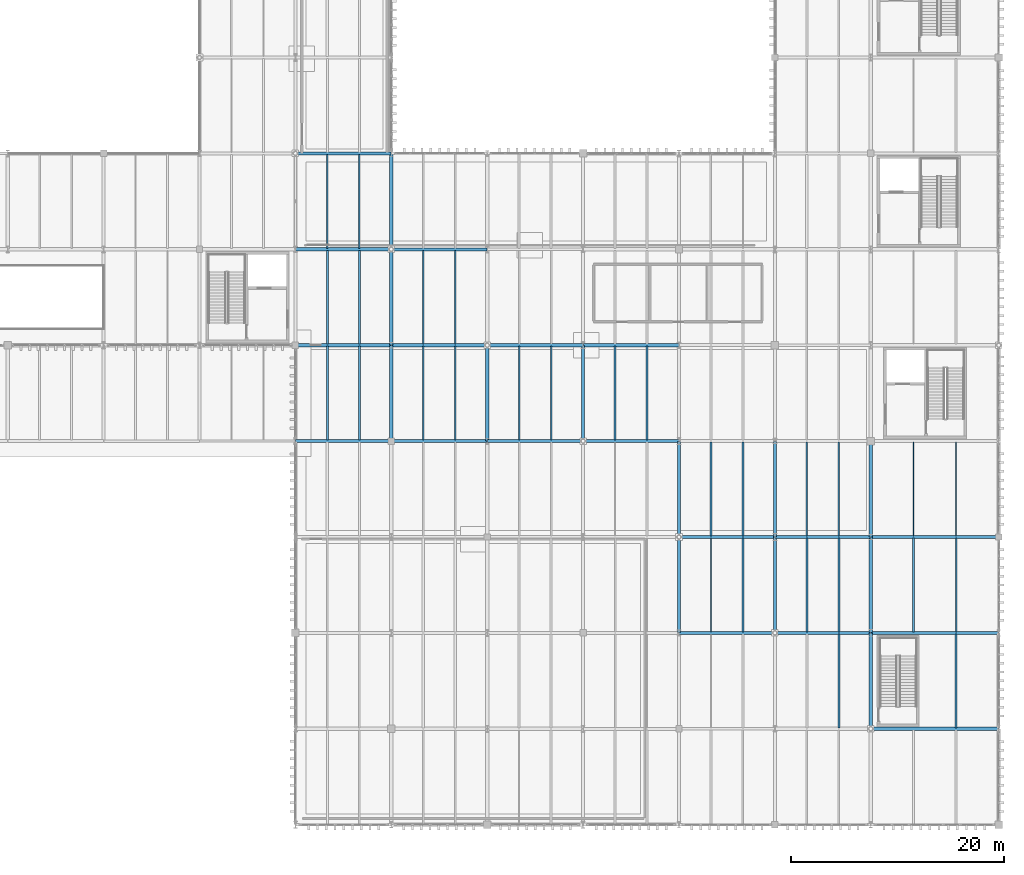
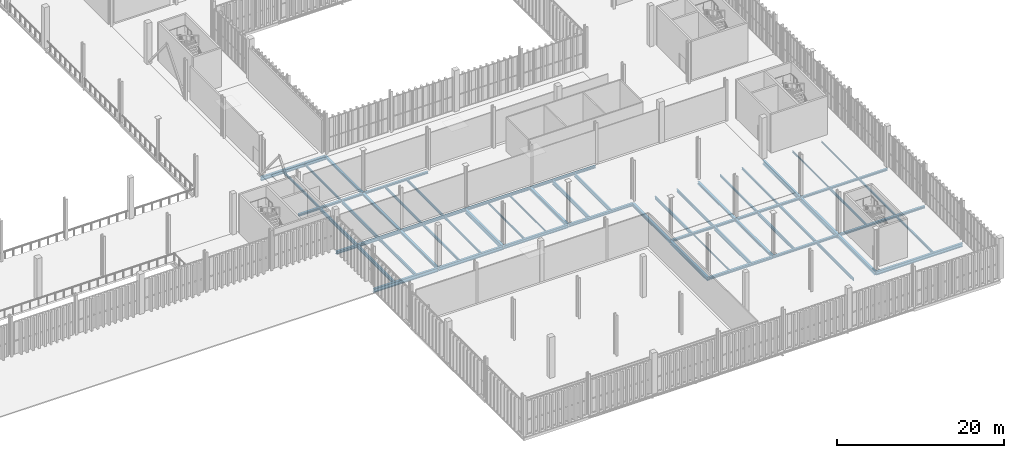
# One storey, part 92 of 211: 58 beams.
"""IFC4 building model written with IfcOpenShell, lengths in metres."""

from ifc_helpers import new_model, si_unit, direction, frame, origin, origin_2d, place, context, subcontext, project, spatial, i_section, extrude, material, material_profile, profile_set, type_object, element, save


model = new_model("IFC4")

# Units and contexts
model_context = context("Model", 3, precision=1e-05, world=origin(), true_north=direction((0.0, 1.0)))
body_context = subcontext(model_context, "Body", "Model", "MODEL_VIEW")
ifc_project = project(units=[si_unit("LENGTHUNIT", "METRE"), si_unit("AREAUNIT", "SQUARE_METRE"), si_unit("VOLUMEUNIT", "CUBIC_METRE"), si_unit("PLANEANGLEUNIT", "RADIAN"), si_unit("MASSUNIT", "GRAM", prefix="KILO")], contexts=[model_context])

# Site, building, storey
site_placement = place(None, origin())
site = spatial("IfcSite", under=ifc_project, at=site_placement, CompositionType="ELEMENT")
building_placement = place(site_placement, origin())
building = spatial("IfcBuilding", under=site, at=building_placement, Name="Barlavento Convention Centre", CompositionType="ELEMENT")
storey_placement = place(building_placement, frame((0.0, 0.0, 6.0)))
storey = spatial("IfcBuildingStorey", under=building, at=storey_placement, Name="L01", CompositionType="ELEMENT", Elevation=6.0)

# Beams
ifc_material = material(Name="Steel S355", Category="steel")
ifc_material_profile_1 = material_profile(ifc_material, i_section(OverallWidth=0.110107421875, OverallDepth=0.219970703125, WebThickness=0.005859375, FlangeThickness=0.00927734375, FilletRadius=0.011962890625, at=origin_2d()), Name="IPE 220")
ifc_profile_set_1 = profile_set([ifc_material_profile_1], Name="Steel S355")
beam_type_1 = type_object("IfcBeamType", Name="STR-BM-JST-IPE220", PredefinedType="JOIST", material=ifc_profile_set_1)
for number, where, z_axis, x_axis, name in (
    (1, (165.0, 18.094970703125, -0.469970703125), (0.0, 1.0, 0.0), (-1.0, 0.0, 0.0), "L01 composite floor joist SJ10"),
    (2, (188.0, 27.094970703125, -0.469970703125), (0.0, 1.0, 0.0), (-1.0, 0.0, 0.0), "L01 composite floor joist SJ10"),
):
    element("IfcBeam", number, at=place(storey_placement, frame(where, z_axis=z_axis, x_axis=x_axis)), inside=storey, type_object=beam_type_1, Name=name, PredefinedType="JOIST", context=body_context, shape_type="SweptSolid", body=[
        extrude(i_section(OverallWidth=0.110107421875, OverallDepth=0.219970703125, WebThickness=0.005859375, FlangeThickness=0.00927734375, FilletRadius=0.011962890625, at=origin_2d()), origin(), (0.0, 0.0, 1.0), 8.81005859375),
    ])
ifc_material_profile_2 = material_profile(ifc_material, i_section(OverallWidth=0.1201171875, OverallDepth=0.239990234375, WebThickness=0.006103515625, FlangeThickness=0.009765625, FilletRadius=0.014892578125, at=origin_2d()), Name="IPE 240")
ifc_profile_set_2 = profile_set([ifc_material_profile_2], Name="Steel S355")
beam_type_2 = type_object("IfcBeamType", Name="STR-BM-JST-IPE240", PredefinedType="JOIST", material=ifc_profile_set_2)
for number, where, z_axis, x_axis, name in (
    (3, (184.0, 27.094970703125, -0.47998046875), (0.0, 1.0, 0.0), (-1.0, 0.0, 0.0), "L01 composite floor joist SJ09"),
    (4, (150.0, 36.094970703125, -0.47998046875), (0.0, 1.0, 0.0), (-1.0, 0.0, 0.0), "L01 composite floor joist SJ09"),
):
    element("IfcBeam", number, at=place(storey_placement, frame(where, z_axis=z_axis, x_axis=x_axis)), inside=storey, type_object=beam_type_2, Name=name, PredefinedType="JOIST", context=body_context, shape_type="SweptSolid", body=[
        extrude(i_section(OverallWidth=0.1201171875, OverallDepth=0.239990234375, WebThickness=0.006103515625, FlangeThickness=0.009765625, FilletRadius=0.014892578125, at=origin_2d()), origin(), (0.0, 0.0, 1.0), 8.81005859375),
    ])
ifc_material_profile_3 = material_profile(ifc_material, i_section(OverallWidth=0.135009765625, OverallDepth=0.27001953125, WebThickness=0.006591796875, FlangeThickness=0.01025390625, FilletRadius=0.014892578125, at=origin_2d()), Name="IPE 270")
ifc_profile_set_3 = profile_set([ifc_material_profile_3], Name="Steel S355")
beam_type_3 = type_object("IfcBeamType", Name="STR-BM-JST-IPE270", PredefinedType="JOIST", material=ifc_profile_set_3)
beam_1_placement = place(storey_placement, frame((147.0, 36.094970703125, -0.4951171875), z_axis=(0.0, 1.0, 0.0), x_axis=(-1.0, 0.0, 0.0)))
element("IfcBeam", 5, at=beam_1_placement, inside=storey, type_object=beam_type_3, Name="L01 composite floor joist SJ08", PredefinedType="JOIST", context=body_context, shape_type="SweptSolid", body=[
    extrude(i_section(OverallWidth=0.135009765625, OverallDepth=0.27001953125, WebThickness=0.006591796875, FlangeThickness=0.01025390625, FilletRadius=0.014892578125, at=origin_2d()), origin(), (0.0, 0.0, 1.0), 8.81005859375),
])
ifc_material_profile_4 = material_profile(ifc_material, i_section(OverallWidth=0.14990234375, OverallDepth=0.300048828125, WebThickness=0.007080078125, FlangeThickness=0.0107421875, FilletRadius=0.014892578125, at=origin_2d()), Name="IPE 300")
ifc_profile_set_4 = profile_set([ifc_material_profile_4], Name="Steel S355")
beam_type_4 = type_object("IfcBeamType", Name="STR-BM-JST-IPE300", PredefinedType="JOIST", material=ifc_profile_set_4)
for number, where, z_axis, x_axis, name in (
    (6, (188.0, 18.094970703125, -0.510009765625), (0.0, 1.0, 0.0), (-1.0, 0.0, 0.0), "L01 composite floor joist SJ07"),
    (7, (177.0, 27.094970703125, -0.510009765625), (0.0, 1.0, 0.0), (-1.0, 0.0, 0.0), "L01 composite floor joist SJ07"),
    (8, (132.0, 54.094970703125, -0.510009765625), (0.0, 1.0, 0.0), (-1.0, 0.0, 0.0), "L01 composite floor joist SJ07"),
):
    element("IfcBeam", number, at=place(storey_placement, frame(where, z_axis=z_axis, x_axis=x_axis)), inside=storey, type_object=beam_type_4, Name=name, PredefinedType="JOIST", context=body_context, shape_type="SweptSolid", body=[
        extrude(i_section(OverallWidth=0.14990234375, OverallDepth=0.300048828125, WebThickness=0.007080078125, FlangeThickness=0.0107421875, FilletRadius=0.014892578125, at=origin_2d()), origin(), (0.0, 0.0, 1.0), 8.81005859375),
    ])
ifc_material_profile_5 = material_profile(ifc_material, i_section(OverallWidth=0.159912109375, OverallDepth=0.330078125, WebThickness=0.007568359375, FlangeThickness=0.011474609375, FilletRadius=0.01806640625, at=origin_2d()), Name="IPE 330")
ifc_profile_set_5 = profile_set([ifc_material_profile_5], Name="Steel S355")
beam_type_5 = type_object("IfcBeamType", Name="STR-BM-JST-IPE330", PredefinedType="JOIST", material=ifc_profile_set_5)
for number, where, z_axis, x_axis, name in (
    (9, (188.0, 9.094970703125, -0.52490234375), (0.0, 1.0, 0.0), (-1.0, 0.0, 0.0), "L01 composite floor joist SJ06"),
    (10, (184.0, 18.094970703125, -0.52490234375), (0.0, 1.0, 0.0), (-1.0, 0.0, 0.0), "L01 composite floor joist SJ06"),
    (11, (174.0, 27.094970703125, -0.52490234375), (0.0, 1.0, 0.0), (-1.0, 0.0, 0.0), "L01 composite floor joist SJ06"),
    (12, (141.0, 36.094970703125, -0.52490234375), (0.0, 1.0, 0.0), (-1.0, 0.0, 0.0), "L01 composite floor joist SJ06"),
    (13, (141.0, 45.094970703125, -0.52490234375), (0.0, 1.0, 0.0), (-1.0, 0.0, 0.0), "L01 composite floor joist SJ06"),
    (14, (129.0, 54.094970703125, -0.52490234375), (0.0, 1.0, 0.0), (-1.0, 0.0, 0.0), "L01 composite floor joist SJ06"),
):
    element("IfcBeam", number, at=place(storey_placement, frame(where, z_axis=z_axis, x_axis=x_axis)), inside=storey, type_object=beam_type_5, Name=name, PredefinedType="JOIST", context=body_context, shape_type="SweptSolid", body=[
        extrude(i_section(OverallWidth=0.159912109375, OverallDepth=0.330078125, WebThickness=0.007568359375, FlangeThickness=0.011474609375, FilletRadius=0.01806640625, at=origin_2d()), origin(), (0.0, 0.0, 1.0), 8.81005859375),
    ])
ifc_material_profile_6 = material_profile(ifc_material, i_section(OverallWidth=0.169921875, OverallDepth=0.360107421875, WebThickness=0.008056640625, FlangeThickness=0.0126953125, FilletRadius=0.01806640625, at=origin_2d()), Name="IPE 360")
ifc_profile_set_6 = profile_set([ifc_material_profile_6], Name="Steel S355")
beam_type_6 = type_object("IfcBeamType", Name="STR-BM-JST-IPE360", PredefinedType="JOIST", material=ifc_profile_set_6)
for number, where, z_axis, x_axis, name in (
    (15, (138.0, 36.094970703125, -0.5400390625), (0.0, 1.0, 0.0), (-1.0, 0.0, 0.0), "L01 composite floor joist SJ05"),
    (16, (138.0, 45.094970703125, -0.5400390625), (0.0, 1.0, 0.0), (-1.0, 0.0, 0.0), "L01 composite floor joist SJ05"),
):
    element("IfcBeam", number, at=place(storey_placement, frame(where, z_axis=z_axis, x_axis=x_axis)), inside=storey, type_object=beam_type_6, Name=name, PredefinedType="JOIST", context=body_context, shape_type="SweptSolid", body=[
        extrude(i_section(OverallWidth=0.169921875, OverallDepth=0.360107421875, WebThickness=0.008056640625, FlangeThickness=0.0126953125, FilletRadius=0.01806640625, at=origin_2d()), origin(), (0.0, 0.0, 1.0), 8.81005859375),
    ])
ifc_material_profile_7 = material_profile(ifc_material, i_section(OverallWidth=0.179931640625, OverallDepth=0.39990234375, WebThickness=0.008544921875, FlangeThickness=0.013427734375, FilletRadius=0.02099609375, at=origin_2d()), Name="IPE 400")
ifc_profile_set_7 = profile_set([ifc_material_profile_7], Name="Steel S355")
beam_type_7 = type_object("IfcBeamType", Name="STR-BM-JST-IPE400", PredefinedType="JOIST", material=ifc_profile_set_7)
for number, where, z_axis, x_axis, name in (
    (17, (177.0, 9.094970703125, -0.56005859375), (0.0, 1.0, 0.0), (-1.0, 0.0, 0.0), "L01 composite floor joist SJ04"),
    (18, (177.0, 18.094970703125, -0.56005859375), (0.0, 1.0, 0.0), (-1.0, 0.0, 0.0), "L01 composite floor joist SJ04"),
    (19, (168.0, 27.094970703125, -0.56005859375), (0.0, 1.0, 0.0), (-1.0, 0.0, 0.0), "L01 composite floor joist SJ04"),
):
    element("IfcBeam", number, at=place(storey_placement, frame(where, z_axis=z_axis, x_axis=x_axis)), inside=storey, type_object=beam_type_7, Name=name, PredefinedType="JOIST", context=body_context, shape_type="SweptSolid", body=[
        extrude(i_section(OverallWidth=0.179931640625, OverallDepth=0.39990234375, WebThickness=0.008544921875, FlangeThickness=0.013427734375, FilletRadius=0.02099609375, at=origin_2d()), origin(), (0.0, 0.0, 1.0), 8.81005859375),
    ])
ifc_material_profile_8 = material_profile(ifc_material, i_section(OverallWidth=0.18994140625, OverallDepth=0.449951171875, WebThickness=0.009521484375, FlangeThickness=0.0146484375, FilletRadius=0.02099609375, at=origin_2d()), Name="IPE 450")
ifc_profile_set_8 = profile_set([ifc_material_profile_8], Name="Steel S355")
beam_type_8 = type_object("IfcBeamType", Name="STR-BM-JST-IPE450", PredefinedType="JOIST", material=ifc_profile_set_8)
for number, where, z_axis, x_axis, name in (
    (20, (174.0, 18.094970703125, -0.5849609375), (0.0, 1.0, 0.0), (-1.0, 0.0, 0.0), "L01 composite floor joist SJ03"),
    (21, (165.0, 27.094970703125, -0.5849609375), (0.0, 1.0, 0.0), (-1.0, 0.0, 0.0), "L01 composite floor joist SJ03"),
    (22, (132.0, 36.094970703125, -0.5849609375), (0.0, 1.0, 0.0), (-1.0, 0.0, 0.0), "L01 composite floor joist SJ03"),
    (23, (132.0, 45.094970703125, -0.5849609375), (0.0, 1.0, 0.0), (-1.0, 0.0, 0.0), "L01 composite floor joist SJ03"),
):
    element("IfcBeam", number, at=place(storey_placement, frame(where, z_axis=z_axis, x_axis=x_axis)), inside=storey, type_object=beam_type_8, Name=name, PredefinedType="JOIST", context=body_context, shape_type="SweptSolid", body=[
        extrude(i_section(OverallWidth=0.18994140625, OverallDepth=0.449951171875, WebThickness=0.009521484375, FlangeThickness=0.0146484375, FilletRadius=0.02099609375, at=origin_2d()), origin(), (0.0, 0.0, 1.0), 8.81005859375),
    ])
ifc_material_profile_9 = material_profile(ifc_material, i_section(OverallWidth=0.199951171875, OverallDepth=0.5, WebThickness=0.01025390625, FlangeThickness=0.01611328125, FilletRadius=0.02099609375, at=origin_2d()), Name="IPE 500")
ifc_profile_set_9 = profile_set([ifc_material_profile_9], Name="Steel S355")
beam_type_9 = type_object("IfcBeamType", Name="STR-BM-JST-IPE500", PredefinedType="JOIST", material=ifc_profile_set_9)
for number, where, z_axis, x_axis, name in (
    (24, (129.0, 36.094970703125, -0.610107421875), (0.0, 1.0, 0.0), (-1.0, 0.0, 0.0), "L01 composite floor joist SJ02"),
    (25, (159.0, 36.094970703125, -0.610107421875), (0.0, 1.0, 0.0), (-1.0, 0.0, 0.0), "L01 composite floor joist SJ02"),
    (26, (129.0, 45.094970703125, -0.610107421875), (0.0, 1.0, 0.0), (-1.0, 0.0, 0.0), "L01 composite floor joist SJ02"),
):
    element("IfcBeam", number, at=place(storey_placement, frame(where, z_axis=z_axis, x_axis=x_axis)), inside=storey, type_object=beam_type_9, Name=name, PredefinedType="JOIST", context=body_context, shape_type="SweptSolid", body=[
        extrude(i_section(OverallWidth=0.199951171875, OverallDepth=0.5, WebThickness=0.01025390625, FlangeThickness=0.01611328125, FilletRadius=0.02099609375, at=origin_2d()), origin(), (0.0, 0.0, 1.0), 8.81005859375),
    ])
ifc_material_profile_10 = material_profile(ifc_material, i_section(OverallWidth=0.2099609375, OverallDepth=0.550048828125, WebThickness=0.010986328125, FlangeThickness=0.01708984375, FilletRadius=0.02392578125, at=origin_2d()), Name="IPE 550")
ifc_profile_set_10 = profile_set([ifc_material_profile_10], Name="Steel S355")
beam_type_10 = type_object("IfcBeamType", Name="STR-BM-JST-IPE550", PredefinedType="JOIST", material=ifc_profile_set_10)
for number, where, z_axis, x_axis, name in (
    (27, (168.0, 18.094970703125, -0.635009765625), (0.0, 1.0, 0.0), (-1.0, 0.0, 0.0), "L01 composite floor joist SJ01"),
    (28, (156.0, 36.094970703125, -0.635009765625), (0.0, 1.0, 0.0), (-1.0, 0.0, 0.0), "L01 composite floor joist SJ01"),
):
    element("IfcBeam", number, at=place(storey_placement, frame(where, z_axis=z_axis, x_axis=x_axis)), inside=storey, type_object=beam_type_10, Name=name, PredefinedType="JOIST", context=body_context, shape_type="SweptSolid", body=[
        extrude(i_section(OverallWidth=0.2099609375, OverallDepth=0.550048828125, WebThickness=0.010986328125, FlangeThickness=0.01708984375, FilletRadius=0.02392578125, at=origin_2d()), origin(), (0.0, 0.0, 1.0), 8.81005859375),
    ])
ifc_material_profile_11 = material_profile(ifc_material, i_section(OverallWidth=0.300048828125, OverallDepth=0.330078125, WebThickness=0.009521484375, FlangeThickness=0.0166015625, FilletRadius=0.027099609375, at=origin_2d()), Name="HEA 340")
ifc_profile_set_11 = profile_set([ifc_material_profile_11], Name="Steel S355")
beam_type_11 = type_object("IfcBeamType", Name="STR-BM-PRI-HEA340", PredefinedType="BEAM", material=ifc_profile_set_11)
for number, where, z_axis, x_axis, name in (
    (29, (135.0, 45.02001953125, -0.52490234375), (0.0, 1.0, 0.0), (-1.0, 0.0, 0.0), "L01 grid girder BG24"),
    (30, (135.0, 54.02001953125, -0.52490234375), (0.0, 1.0, 0.0), (-1.0, 0.0, 0.0), "L01 grid girder BG24"),
):
    element("IfcBeam", number, at=place(storey_placement, frame(where, z_axis=z_axis, x_axis=x_axis)), inside=storey, type_object=beam_type_11, Name=name, PredefinedType="BEAM", context=body_context, shape_type="SweptSolid", body=[
        extrude(i_section(OverallWidth=0.300048828125, OverallDepth=0.330078125, WebThickness=0.009521484375, FlangeThickness=0.0166015625, FilletRadius=0.027099609375, at=origin_2d()), origin(), (0.0, 0.0, 1.0), 8.9599609375),
    ])
ifc_material_profile_12 = material_profile(ifc_material, i_section(OverallWidth=0.300048828125, OverallDepth=0.35009765625, WebThickness=0.010009765625, FlangeThickness=0.017578125, FilletRadius=0.027099609375, at=origin_2d()), Name="HEA 360")
ifc_profile_set_12 = profile_set([ifc_material_profile_12], Name="Steel S355")
beam_type_12 = type_object("IfcBeamType", Name="STR-BM-PRI-HEA360", PredefinedType="BEAM", material=ifc_profile_set_12)
beam_2_placement = place(storey_placement, frame((171.0, 27.02001953125, -0.534912109375), z_axis=(0.0, 1.0, 0.0), x_axis=(-1.0, 0.0, 0.0)))
element("IfcBeam", 31, at=beam_2_placement, inside=storey, type_object=beam_type_12, Name="L01 grid girder BG23", PredefinedType="BEAM", context=body_context, shape_type="SweptSolid", body=[
    extrude(i_section(OverallWidth=0.300048828125, OverallDepth=0.35009765625, WebThickness=0.010009765625, FlangeThickness=0.017578125, FilletRadius=0.027099609375, at=origin_2d()), origin(), (0.0, 0.0, 1.0), 8.9599609375),
])
ifc_material_profile_13 = material_profile(ifc_material, i_section(OverallWidth=0.300048828125, OverallDepth=0.389892578125, WebThickness=0.010986328125, FlangeThickness=0.01904296875, FilletRadius=0.027099609375, at=origin_2d()), Name="HEA 400")
ifc_profile_set_13 = profile_set([ifc_material_profile_13], Name="Steel S355")
beam_type_13 = type_object("IfcBeamType", Name="STR-BM-PRI-HEA400", PredefinedType="BEAM", material=ifc_profile_set_13)
for number, where, z_axis, x_axis, name in (
    (32, (171.0, 18.02001953125, -0.554931640625), (0.0, 1.0, 0.0), (-1.0, 0.0, 0.0), "L01 grid girder BG22"),
    (33, (135.0, 36.02001953125, -0.554931640625), (0.0, 1.0, 0.0), (-1.0, 0.0, 0.0), "L01 grid girder BG22"),
):
    element("IfcBeam", number, at=place(storey_placement, frame(where, z_axis=z_axis, x_axis=x_axis)), inside=storey, type_object=beam_type_13, Name=name, PredefinedType="BEAM", context=body_context, shape_type="SweptSolid", body=[
        extrude(i_section(OverallWidth=0.300048828125, OverallDepth=0.389892578125, WebThickness=0.010986328125, FlangeThickness=0.01904296875, FilletRadius=0.027099609375, at=origin_2d()), origin(), (0.0, 0.0, 1.0), 8.9599609375),
    ])
ifc_material_profile_14 = material_profile(ifc_material, i_section(OverallWidth=0.300048828125, OverallDepth=0.489990234375, WebThickness=0.011962890625, FlangeThickness=0.02294921875, FilletRadius=0.027099609375, at=origin_2d()), Name="HEA 500")
ifc_profile_set_14 = profile_set([ifc_material_profile_14], Name="Steel S355")
beam_type_14 = type_object("IfcBeamType", Name="STR-BM-PRI-HEA500", PredefinedType="BEAM", material=ifc_profile_set_14)
for number, where, z_axis, x_axis, name in (
    (34, (162.0, 27.02001953125, -0.60498046875), (0.0, 1.0, 0.0), (-1.0, 0.0, 0.0), "L01 grid girder BG20"),
    (35, (153.0, 36.02001953125, -0.60498046875), (0.0, 1.0, 0.0), (-1.0, 0.0, 0.0), "L01 grid girder BG20"),
):
    element("IfcBeam", number, at=place(storey_placement, frame(where, z_axis=z_axis, x_axis=x_axis)), inside=storey, type_object=beam_type_14, Name=name, PredefinedType="BEAM", context=body_context, shape_type="SweptSolid", body=[
        extrude(i_section(OverallWidth=0.300048828125, OverallDepth=0.489990234375, WebThickness=0.011962890625, FlangeThickness=0.02294921875, FilletRadius=0.027099609375, at=origin_2d()), origin(), (0.0, 0.0, 1.0), 8.9599609375),
    ])
ifc_material_profile_15 = material_profile(ifc_material, i_section(OverallWidth=0.300048828125, OverallDepth=0.5400390625, WebThickness=0.012451171875, FlangeThickness=0.02392578125, FilletRadius=0.027099609375, at=origin_2d()), Name="HEA 550")
ifc_profile_set_15 = profile_set([ifc_material_profile_15], Name="Steel S355")
beam_type_15 = type_object("IfcBeamType", Name="STR-BM-PRI-HEA550", PredefinedType="BEAM", material=ifc_profile_set_15)
for number, where, z_axis, x_axis, name in (
    (36, (180.0, 9.02001953125, -0.6298828125), (0.0, 1.0, 0.0), (-1.0, 0.0, 0.0), "L01 grid girder BG19"),
    (37, (162.0, 18.02001953125, -0.6298828125), (0.0, 1.0, 0.0), (-1.0, 0.0, 0.0), "L01 grid girder BG19"),
):
    element("IfcBeam", number, at=place(storey_placement, frame(where, z_axis=z_axis, x_axis=x_axis)), inside=storey, type_object=beam_type_15, Name=name, PredefinedType="BEAM", context=body_context, shape_type="SweptSolid", body=[
        extrude(i_section(OverallWidth=0.300048828125, OverallDepth=0.5400390625, WebThickness=0.012451171875, FlangeThickness=0.02392578125, FilletRadius=0.027099609375, at=origin_2d()), origin(), (0.0, 0.0, 1.0), 8.9599609375),
    ])
ifc_material_profile_16 = material_profile(ifc_material, i_section(OverallWidth=0.300048828125, OverallDepth=0.590087890625, WebThickness=0.012939453125, FlangeThickness=0.02490234375, FilletRadius=0.027099609375, at=origin_2d()), Name="HEA 600")
ifc_profile_set_16 = profile_set([ifc_material_profile_16], Name="Steel S355")
beam_type_16 = type_object("IfcBeamType", Name="STR-BM-PRI-HEA600", PredefinedType="BEAM", material=ifc_profile_set_16)
beam_3_placement = place(storey_placement, frame((180.0, 27.02001953125, -0.655029296875), z_axis=(0.0, 1.0, 0.0), x_axis=(-1.0, 0.0, 0.0)))
element("IfcBeam", 38, at=beam_3_placement, inside=storey, type_object=beam_type_16, Name="L01 grid girder BG18", PredefinedType="BEAM", context=body_context, shape_type="SweptSolid", body=[
    extrude(i_section(OverallWidth=0.300048828125, OverallDepth=0.590087890625, WebThickness=0.012939453125, FlangeThickness=0.02490234375, FilletRadius=0.027099609375, at=origin_2d()), origin(), (0.0, 0.0, 1.0), 8.9599609375),
])
ifc_material_profile_17 = material_profile(ifc_material, i_section(OverallWidth=0.300048828125, OverallDepth=0.639892578125, WebThickness=0.013427734375, FlangeThickness=0.02587890625, FilletRadius=0.027099609375, at=origin_2d()), Name="HEA 650")
ifc_profile_set_17 = profile_set([ifc_material_profile_17], Name="Steel S355")
beam_type_17 = type_object("IfcBeamType", Name="STR-BM-PRI-HEA650", PredefinedType="BEAM", material=ifc_profile_set_17)
for number, where, z_axis, x_axis, name in (
    (39, (180.0, 18.02001953125, -0.679931640625), (0.0, 1.0, 0.0), (-1.0, 0.0, 0.0), "L01 grid girder BG17"),
    (40, (144.0, 36.02001953125, -0.679931640625), (0.0, 1.0, 0.0), (-1.0, 0.0, 0.0), "L01 grid girder BG17"),
):
    element("IfcBeam", number, at=place(storey_placement, frame(where, z_axis=z_axis, x_axis=x_axis)), inside=storey, type_object=beam_type_17, Name=name, PredefinedType="BEAM", context=body_context, shape_type="SweptSolid", body=[
        extrude(i_section(OverallWidth=0.300048828125, OverallDepth=0.639892578125, WebThickness=0.013427734375, FlangeThickness=0.02587890625, FilletRadius=0.027099609375, at=origin_2d()), origin(), (0.0, 0.0, 1.0), 8.9599609375),
    ])
ifc_material_profile_18 = material_profile(ifc_material, i_section(OverallWidth=0.280029296875, OverallDepth=0.280029296875, WebThickness=0.010498046875, FlangeThickness=0.01806640625, FilletRadius=0.02392578125, at=origin_2d()), Name="HEB 280")
ifc_profile_set_18 = profile_set([ifc_material_profile_18], Name="Steel S355")
beam_type_18 = type_object("IfcBeamType", Name="STR-BM-PRI-HEB280", PredefinedType="BEAM", material=ifc_profile_set_18)
beam_4_placement = place(storey_placement, frame((180.02001953125, 27.0, -0.5), z_axis=(1.0, 0.0, 0.0), x_axis=(0.0, 1.0, 0.0)))
element("IfcBeam", 41, at=beam_4_placement, inside=storey, type_object=beam_type_18, Name="L01 primary girder BG15", PredefinedType="BEAM", context=body_context, shape_type="SweptSolid", body=[
    extrude(i_section(OverallWidth=0.280029296875, OverallDepth=0.280029296875, WebThickness=0.010498046875, FlangeThickness=0.01806640625, FilletRadius=0.02392578125, at=origin_2d()), origin(), (0.0, 0.0, 1.0), 11.9599609375),
])
beam_5_placement = place(storey_placement, frame((135.02001953125, 54.0, -0.5), z_axis=(1.0, 0.0, 0.0), x_axis=(0.0, 1.0, 0.0)))
element("IfcBeam", 42, at=beam_5_placement, inside=storey, type_object=beam_type_18, Name="L01 primary girder BG15", PredefinedType="BEAM", context=body_context, shape_type="SweptSolid", body=[
    extrude(i_section(OverallWidth=0.280029296875, OverallDepth=0.280029296875, WebThickness=0.010498046875, FlangeThickness=0.01806640625, FilletRadius=0.02392578125, at=origin_2d()), origin(), (0.0, 0.0, 1.0), 8.9599609375),
])
ifc_material_profile_19 = material_profile(ifc_material, i_section(OverallWidth=0.300048828125, OverallDepth=0.300048828125, WebThickness=0.010986328125, FlangeThickness=0.01904296875, FilletRadius=0.027099609375, at=origin_2d()), Name="HEB 300")
ifc_profile_set_19 = profile_set([ifc_material_profile_19], Name="Steel S355")
beam_type_19 = type_object("IfcBeamType", Name="STR-BM-PRI-HEB300", PredefinedType="BEAM", material=ifc_profile_set_19)
beam_6_placement = place(storey_placement, frame((180.02001953125, 18.0, -0.510009765625), z_axis=(1.0, 0.0, 0.0), x_axis=(0.0, 1.0, 0.0)))
element("IfcBeam", 43, at=beam_6_placement, inside=storey, type_object=beam_type_19, Name="L01 primary girder BG14", PredefinedType="BEAM", context=body_context, shape_type="SweptSolid", body=[
    extrude(i_section(OverallWidth=0.300048828125, OverallDepth=0.300048828125, WebThickness=0.010986328125, FlangeThickness=0.01904296875, FilletRadius=0.027099609375, at=origin_2d()), origin(), (0.0, 0.0, 1.0), 11.9599609375),
])
for number, where, z_axis, x_axis, name in (
    (44, (171.02001953125, 27.0, -0.510009765625), (1.0, 0.0, 0.0), (0.0, 1.0, 0.0), "L01 primary girder BG14"),
    (45, (153.02001953125, 45.0, -0.510009765625), (1.0, 0.0, 0.0), (0.0, 1.0, 0.0), "L01 primary girder BG14"),
    (46, (126.02001953125, 54.0, -0.510009765625), (1.0, 0.0, 0.0), (0.0, 1.0, 0.0), "L01 primary girder BG14"),
):
    element("IfcBeam", number, at=place(storey_placement, frame(where, z_axis=z_axis, x_axis=x_axis)), inside=storey, type_object=beam_type_19, Name=name, PredefinedType="BEAM", context=body_context, shape_type="SweptSolid", body=[
        extrude(i_section(OverallWidth=0.300048828125, OverallDepth=0.300048828125, WebThickness=0.010986328125, FlangeThickness=0.01904296875, FilletRadius=0.027099609375, at=origin_2d()), origin(), (0.0, 0.0, 1.0), 8.9599609375),
    ])
ifc_material_profile_20 = material_profile(ifc_material, i_section(OverallWidth=0.300048828125, OverallDepth=0.320068359375, WebThickness=0.011474609375, FlangeThickness=0.0205078125, FilletRadius=0.027099609375, at=origin_2d()), Name="HEB 320")
ifc_profile_set_20 = profile_set([ifc_material_profile_20], Name="Steel S355")
beam_type_20 = type_object("IfcBeamType", Name="STR-BM-PRI-HEB320", PredefinedType="BEAM", material=ifc_profile_set_20)
for number, where, z_axis, x_axis, name in (
    (47, (171.02001953125, 18.0, -0.52001953125), (1.0, 0.0, 0.0), (0.0, 1.0, 0.0), "L01 primary girder BG13"),
    (48, (162.02001953125, 27.0, -0.52001953125), (1.0, 0.0, 0.0), (0.0, 1.0, 0.0), "L01 primary girder BG13"),
    (49, (144.02001953125, 45.0, -0.52001953125), (1.0, 0.0, 0.0), (0.0, 1.0, 0.0), "L01 primary girder BG13"),
):
    element("IfcBeam", number, at=place(storey_placement, frame(where, z_axis=z_axis, x_axis=x_axis)), inside=storey, type_object=beam_type_20, Name=name, PredefinedType="BEAM", context=body_context, shape_type="SweptSolid", body=[
        extrude(i_section(OverallWidth=0.300048828125, OverallDepth=0.320068359375, WebThickness=0.011474609375, FlangeThickness=0.0205078125, FilletRadius=0.027099609375, at=origin_2d()), origin(), (0.0, 0.0, 1.0), 8.9599609375),
    ])
ifc_material_profile_21 = material_profile(ifc_material, i_section(OverallWidth=0.300048828125, OverallDepth=0.360107421875, WebThickness=0.012451171875, FlangeThickness=0.0224609375, FilletRadius=0.027099609375, at=origin_2d()), Name="HEB 360")
ifc_profile_set_21 = profile_set([ifc_material_profile_21], Name="Steel S355")
beam_type_21 = type_object("IfcBeamType", Name="STR-BM-PRI-HEB360", PredefinedType="BEAM", material=ifc_profile_set_21)
for number, where, z_axis, x_axis, name in (
    (50, (162.02001953125, 18.0, -0.5400390625), (1.0, 0.0, 0.0), (0.0, 1.0, 0.0), "L01 primary girder BG12"),
    (51, (135.02001953125, 45.0, -0.5400390625), (1.0, 0.0, 0.0), (0.0, 1.0, 0.0), "L01 primary girder BG12"),
):
    element("IfcBeam", number, at=place(storey_placement, frame(where, z_axis=z_axis, x_axis=x_axis)), inside=storey, type_object=beam_type_21, Name=name, PredefinedType="BEAM", context=body_context, shape_type="SweptSolid", body=[
        extrude(i_section(OverallWidth=0.300048828125, OverallDepth=0.360107421875, WebThickness=0.012451171875, FlangeThickness=0.0224609375, FilletRadius=0.027099609375, at=origin_2d()), origin(), (0.0, 0.0, 1.0), 8.9599609375),
    ])
ifc_material_profile_22 = material_profile(ifc_material, i_section(OverallWidth=0.300048828125, OverallDepth=0.39990234375, WebThickness=0.013427734375, FlangeThickness=0.02392578125, FilletRadius=0.027099609375, at=origin_2d()), Name="HEB 400")
ifc_profile_set_22 = profile_set([ifc_material_profile_22], Name="Steel S355")
beam_type_22 = type_object("IfcBeamType", Name="STR-BM-PRI-HEB400", PredefinedType="BEAM", material=ifc_profile_set_22)
for number, where, z_axis, x_axis, name in (
    (52, (153.02001953125, 36.0, -0.56005859375), (1.0, 0.0, 0.0), (0.0, 1.0, 0.0), "L01 primary girder BG11"),
    (53, (126.02001953125, 45.0, -0.56005859375), (1.0, 0.0, 0.0), (0.0, 1.0, 0.0), "L01 primary girder BG11"),
):
    element("IfcBeam", number, at=place(storey_placement, frame(where, z_axis=z_axis, x_axis=x_axis)), inside=storey, type_object=beam_type_22, Name=name, PredefinedType="BEAM", context=body_context, shape_type="SweptSolid", body=[
        extrude(i_section(OverallWidth=0.300048828125, OverallDepth=0.39990234375, WebThickness=0.013427734375, FlangeThickness=0.02392578125, FilletRadius=0.027099609375, at=origin_2d()), origin(), (0.0, 0.0, 1.0), 8.9599609375),
    ])
ifc_material_profile_23 = material_profile(ifc_material, i_section(OverallWidth=0.300048828125, OverallDepth=0.449951171875, WebThickness=0.013916015625, FlangeThickness=0.02587890625, FilletRadius=0.027099609375, at=origin_2d()), Name="HEB 450")
ifc_profile_set_23 = profile_set([ifc_material_profile_23], Name="Steel S355")
beam_type_23 = type_object("IfcBeamType", Name="STR-BM-PRI-HEB450", PredefinedType="BEAM", material=ifc_profile_set_23)
beam_7_placement = place(storey_placement, frame((144.02001953125, 36.0, -0.5849609375), z_axis=(1.0, 0.0, 0.0), x_axis=(0.0, 1.0, 0.0)))
element("IfcBeam", 54, at=beam_7_placement, inside=storey, type_object=beam_type_23, Name="L01 primary girder BG10", PredefinedType="BEAM", context=body_context, shape_type="SweptSolid", body=[
    extrude(i_section(OverallWidth=0.300048828125, OverallDepth=0.449951171875, WebThickness=0.013916015625, FlangeThickness=0.02587890625, FilletRadius=0.027099609375, at=origin_2d()), origin(), (0.0, 0.0, 1.0), 8.9599609375),
])
ifc_material_profile_24 = material_profile(ifc_material, i_section(OverallWidth=0.300048828125, OverallDepth=0.5, WebThickness=0.014404296875, FlangeThickness=0.028076171875, FilletRadius=0.027099609375, at=origin_2d()), Name="HEB 500")
ifc_profile_set_24 = profile_set([ifc_material_profile_24], Name="Steel S355")
beam_type_24 = type_object("IfcBeamType", Name="STR-BM-PRI-HEB500", PredefinedType="BEAM", material=ifc_profile_set_24)
beam_8_placement = place(storey_placement, frame((180.02001953125, 9.0, -0.610107421875), z_axis=(1.0, 0.0, 0.0), x_axis=(0.0, 1.0, 0.0)))
element("IfcBeam", 55, at=beam_8_placement, inside=storey, type_object=beam_type_24, Name="L01 primary girder BG09", PredefinedType="BEAM", context=body_context, shape_type="SweptSolid", body=[
    extrude(i_section(OverallWidth=0.300048828125, OverallDepth=0.5, WebThickness=0.014404296875, FlangeThickness=0.028076171875, FilletRadius=0.027099609375, at=origin_2d()), origin(), (0.0, 0.0, 1.0), 11.9599609375),
])
beam_9_placement = place(storey_placement, frame((135.02001953125, 36.0, -0.610107421875), z_axis=(1.0, 0.0, 0.0), x_axis=(0.0, 1.0, 0.0)))
element("IfcBeam", 56, at=beam_9_placement, inside=storey, type_object=beam_type_24, Name="L01 primary girder BG09", PredefinedType="BEAM", context=body_context, shape_type="SweptSolid", body=[
    extrude(i_section(OverallWidth=0.300048828125, OverallDepth=0.5, WebThickness=0.014404296875, FlangeThickness=0.028076171875, FilletRadius=0.027099609375, at=origin_2d()), origin(), (0.0, 0.0, 1.0), 8.9599609375),
])
ifc_material_profile_25 = material_profile(ifc_material, i_section(OverallWidth=0.300048828125, OverallDepth=0.550048828125, WebThickness=0.014892578125, FlangeThickness=0.029052734375, FilletRadius=0.027099609375, at=origin_2d()), Name="HEB 550")
ifc_profile_set_25 = profile_set([ifc_material_profile_25], Name="Steel S355")
beam_type_25 = type_object("IfcBeamType", Name="STR-BM-PRI-HEB550", PredefinedType="BEAM", material=ifc_profile_set_25)
for number, where, z_axis, x_axis, name in (
    (57, (126.02001953125, 36.0, -0.635009765625), (1.0, 0.0, 0.0), (0.0, 1.0, 0.0), "L01 primary girder BG08"),
    (58, (126.02001953125, 63.0, -0.635009765625), (1.0, 0.0, 0.0), (0.0, 1.0, 0.0), "L01 primary girder BG08"),
):
    element("IfcBeam", number, at=place(storey_placement, frame(where, z_axis=z_axis, x_axis=x_axis)), inside=storey, type_object=beam_type_25, Name=name, PredefinedType="BEAM", context=body_context, shape_type="SweptSolid", body=[
        extrude(i_section(OverallWidth=0.300048828125, OverallDepth=0.550048828125, WebThickness=0.014892578125, FlangeThickness=0.029052734375, FilletRadius=0.027099609375, at=origin_2d()), origin(), (0.0, 0.0, 1.0), 8.9599609375),
    ])

save(model, "model.ifc")
